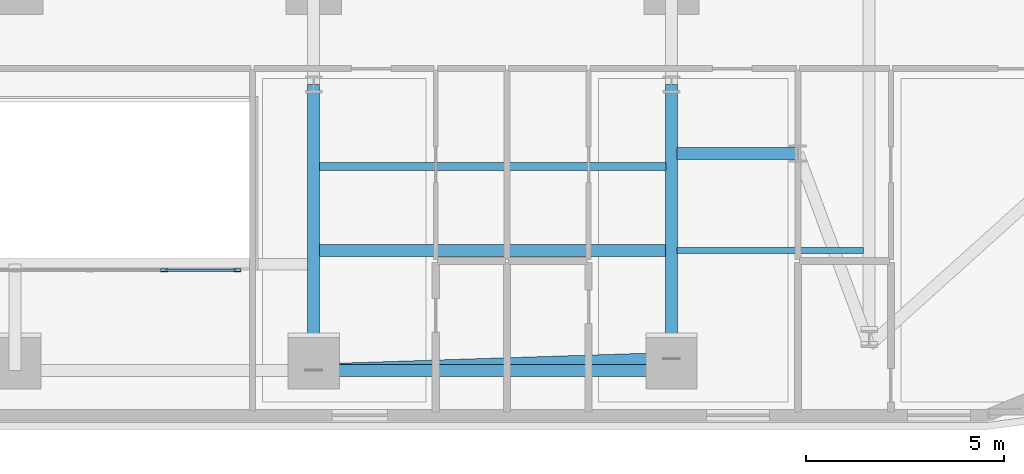
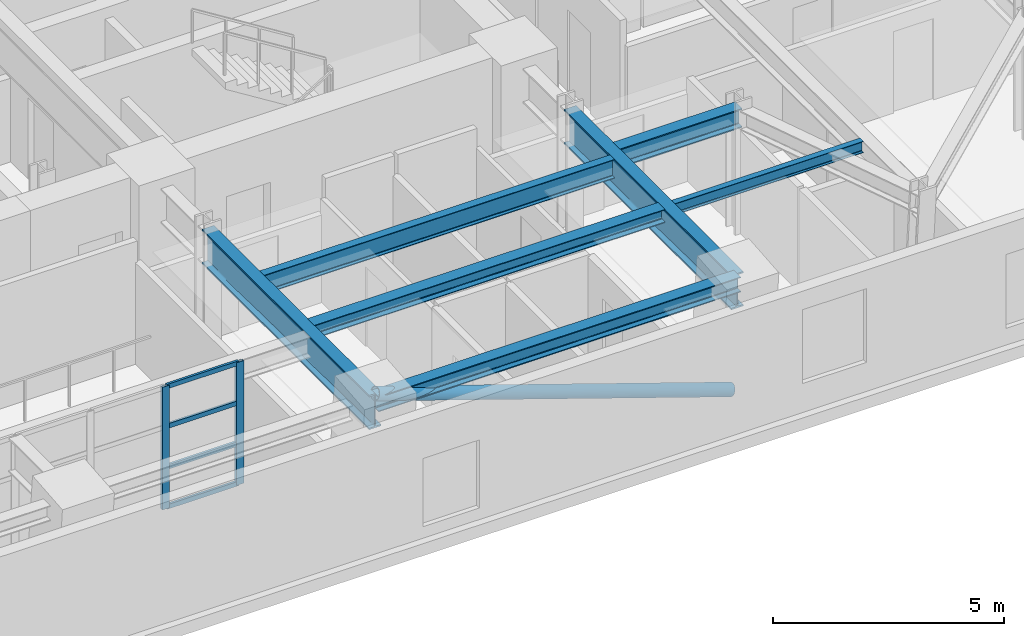
# One storey, part 5 of 16: 7 beams, 7 members, 1 element without a shape of its own.
"""IFC4 building model written with IfcOpenShell, lengths in metres."""

from ifc_helpers import new_model, si_unit, direction, frame, origin, origin_2d, place, context, subcontext, project, spatial, hollow_rectangle, hollow_circle, i_section, extrude, material, layer, layer_set, material_profile, profile_set, type_object, element, aggregate, save


model = new_model("IFC4")

# Units and contexts
model_context = context("Model", 3, precision=1e-05, world=origin(), true_north=direction((0.0, 1.0)))
body_context = subcontext(model_context, "Body", "Model", "MODEL_VIEW")
ifc_project = project(units=[si_unit("LENGTHUNIT", "METRE"), si_unit("AREAUNIT", "SQUARE_METRE"), si_unit("VOLUMEUNIT", "CUBIC_METRE"), si_unit("PLANEANGLEUNIT", "RADIAN"), si_unit("MASSUNIT", "GRAM", prefix="KILO")], contexts=[model_context])

# Site, building, storey
site_placement = place(None, origin())
site = spatial("IfcSite", under=ifc_project, at=site_placement, CompositionType="ELEMENT")
building_placement = place(site_placement, origin())
building = spatial("IfcBuilding", under=site, at=building_placement, Name="Zarnavel Station Tower", CompositionType="ELEMENT")
storey_placement = place(building_placement, frame((0.0, 0.0, 86.300048828125)))
storey = spatial("IfcBuildingStorey", under=building, at=storey_placement, Name="L23", CompositionType="ELEMENT", Elevation=86.300048828125)

# Curtain wall, members
ifc_material_1 = material(Name="Aluminium Dark Anodised and Solar-Control Glass", Category="aluminium")
ifc_layer = layer(ifc_material_1, 0.179931640625)
ifc_layer_set = layer_set([ifc_layer], Name="CWS3")
curtain_wall_type = type_object("IfcCurtainWallType", Name="CWS3", PredefinedType="NOTDEFINED", material=ifc_layer_set)
curtain_wall_placement = place(storey_placement, origin())
curtain_wall = element("IfcCurtainWall", 1, at=curtain_wall_placement, inside=storey, type_object=curtain_wall_type, Name="L23 Curtain Wall CWS3-L23-AS", PredefinedType="NOTDEFINED")
ifc_material_2 = material(Name="Steel S355J2 (Black Fluoropolymer Coated)", Category="steel")
ifc_material_profile_1 = material_profile(ifc_material_2, hollow_rectangle(XDim=0.080078125, YDim=0.179931640625, WallThickness=0.00634765625, at=origin_2d()), Name="RHS180x80x6.3")
ifc_profile_set_1 = profile_set([ifc_material_profile_1], Name="Steel S355J2 (Black Fluoropolymer Coated)")
member_type_1 = type_object("IfcMemberType", Name="CWS3_MUL", PredefinedType="MULLION", material=ifc_profile_set_1)
member_1_placement = place(storey_placement, frame((32.566650390625, 20.64990234375, 0.0), z_axis=(0.0, 0.0, 1.0), x_axis=(0.0, 1.0, 0.0)))
member_1 = element("IfcMember", 2, at=member_1_placement, type_object=member_type_1, Name="CW3 mullion 6", PredefinedType="MULLION", context=body_context, shape_type="SweptSolid", body=[
    extrude(hollow_rectangle(XDim=0.080078125, YDim=0.179931640625, WallThickness=0.00634765625, at=origin_2d()), origin(), (0.0, 0.0, 1.0), 3.239990234375),
])
member_2_placement = place(storey_placement, frame((34.419921875, 20.64990234375, 0.0), z_axis=(0.0, 0.0, 1.0), x_axis=(0.0, 1.0, 0.0)))
member_2 = element("IfcMember", 3, at=member_2_placement, type_object=member_type_1, Name="CW3 mullion 7", PredefinedType="MULLION", context=body_context, shape_type="SweptSolid", body=[
    extrude(hollow_rectangle(XDim=0.080078125, YDim=0.179931640625, WallThickness=0.00634765625, at=origin_2d()), origin(), (0.0, 0.0, 1.0), 3.239990234375),
])
ifc_material_3 = material(Name="Steel S355J2 (Black Fluoropolymer Coated)", Category="steel")
ifc_material_profile_2 = material_profile(ifc_material_3, hollow_rectangle(XDim=0.06005859375, YDim=0.1201171875, WallThickness=0.0048828125, at=origin_2d()), Name="RHS120x60x5")
ifc_profile_set_2 = profile_set([ifc_material_profile_2], Name="Steel S355J2 (Black Fluoropolymer Coated)")
member_type_2 = type_object("IfcMemberType", Name="CWS3_TRN", PredefinedType="USERDEFINED", material=ifc_profile_set_2)
member_3_placement = place(storey_placement, frame((32.5966796875, 20.64990234375, 0.030029296875), z_axis=(1.0, 0.0, 0.0), x_axis=(0.0, 1.0, 0.0)))
member_3 = element("IfcMember", 4, at=member_3_placement, type_object=member_type_2, Name="CW3 transom 6.1", ObjectType="TRANSOM", PredefinedType="USERDEFINED", context=body_context, shape_type="SweptSolid", body=[
    extrude(hollow_rectangle(XDim=0.06005859375, YDim=0.1201171875, WallThickness=0.0048828125, at=origin_2d()), origin(), (0.0, 0.0, 1.0), 1.793212890625),
])
member_4_placement = place(storey_placement, frame((32.5966796875, 20.64990234375, 1.079833984375), z_axis=(1.0, 0.0, 0.0), x_axis=(0.0, 1.0, 0.0)))
member_4 = element("IfcMember", 5, at=member_4_placement, type_object=member_type_2, Name="CW3 transom 6.2", ObjectType="TRANSOM", PredefinedType="USERDEFINED", context=body_context, shape_type="SweptSolid", body=[
    extrude(hollow_rectangle(XDim=0.06005859375, YDim=0.1201171875, WallThickness=0.0048828125, at=origin_2d()), origin(), (0.0, 0.0, 1.0), 1.793212890625),
])
member_5_placement = place(storey_placement, frame((32.5966796875, 20.64990234375, 2.159912109375), z_axis=(1.0, 0.0, 0.0), x_axis=(0.0, 1.0, 0.0)))
member_5 = element("IfcMember", 6, at=member_5_placement, type_object=member_type_2, Name="CW3 transom 6.3", ObjectType="TRANSOM", PredefinedType="USERDEFINED", context=body_context, shape_type="SweptSolid", body=[
    extrude(hollow_rectangle(XDim=0.06005859375, YDim=0.1201171875, WallThickness=0.0048828125, at=origin_2d()), origin(), (0.0, 0.0, 1.0), 1.793212890625),
])
member_6_placement = place(storey_placement, frame((32.5966796875, 20.64990234375, 3.2099609375), z_axis=(1.0, 0.0, 0.0), x_axis=(0.0, 1.0, 0.0)))
member_6 = element("IfcMember", 7, at=member_6_placement, type_object=member_type_2, Name="CW3 transom 6.4", ObjectType="TRANSOM", PredefinedType="USERDEFINED", context=body_context, shape_type="SweptSolid", body=[
    extrude(hollow_rectangle(XDim=0.06005859375, YDim=0.1201171875, WallThickness=0.0048828125, at=origin_2d()), origin(), (0.0, 0.0, 1.0), 1.793212890625),
])
aggregate(curtain_wall, [member_1, member_2, member_3, member_4, member_5, member_6])

# Member
ifc_material_4 = material(Name="Steel S355J2", Category="steel")
ifc_material_profile_3 = material_profile(ifc_material_4, hollow_circle(Radius=0.161865234375, WallThickness=0.012451171875, at=origin_2d()), Name="CHS323.9x12.5")
ifc_profile_set_3 = profile_set([ifc_material_profile_3], Name="Steel S355J2")
member_type_3 = type_object("IfcMemberType", Name="DB_EXT_CHS324", PredefinedType="BRACE", material=ifc_profile_set_3)
member_7_placement = place(storey_placement, frame((45.39990234375, 18.407470703125, 0.0), z_axis=(-0.941042303893, -0.030515076327, 0.336909798612), x_axis=(0.032409856061, -0.999474662625, 0.0)))
element("IfcMember", 8, at=member_7_placement, inside=storey, type_object=member_type_3, Name="L23 Persian Exterior Diagonal Frame Brace 2", PredefinedType="BRACE", context=body_context, shape_type="SweptSolid", body=[
    extrude(hollow_circle(Radius=0.161865234375, WallThickness=0.012451171875, at=origin_2d()), origin(), (0.0, 0.0, 1.0), 9.61669921875),
])

# Beams
ifc_material_5 = material(Name="Steel S355J2", Category="steel")
ifc_material_profile_4 = material_profile(ifc_material_5, i_section(OverallWidth=0.300048828125, OverallDepth=0.39990234375, WebThickness=0.013427734375, FlangeThickness=0.02392578125, FilletRadius=0.027099609375, at=origin_2d()), Name="HEB400")
ifc_profile_set_4 = profile_set([ifc_material_profile_4], Name="Steel S355J2")
beam_type_1 = type_object("IfcBeamType", Name="EB_HEB400", PredefinedType="SPANDREL", material=ifc_profile_set_4)
beam_1_placement = place(storey_placement, frame((36.35009765625, 18.114013671875, 3.0400390625), z_axis=(1.0, 0.0, 0.0), x_axis=(0.0, 1.0, 0.0)))
element("IfcBeam", 9, at=beam_1_placement, inside=storey, type_object=beam_type_1, Name="L23 South Raked Spandrel 4", PredefinedType="SPANDREL", context=body_context, shape_type="SweptSolid", body=[
    extrude(i_section(OverallWidth=0.300048828125, OverallDepth=0.39990234375, WebThickness=0.013427734375, FlangeThickness=0.02392578125, FilletRadius=0.027099609375, at=origin_2d()), origin(), (0.0, 0.0, 1.0), 9.0498046875),
])
ifc_material_6 = material(Name="Steel S355J2", Category="steel")
ifc_material_profile_5 = material_profile(ifc_material_6, i_section(OverallWidth=0.300048828125, OverallDepth=0.35009765625, WebThickness=0.010009765625, FlangeThickness=0.017578125, FilletRadius=0.027099609375, at=origin_2d()), Name="HEA360")
ifc_profile_set_5 = profile_set([ifc_material_profile_5], Name="Steel S355J2")
beam_type_2 = type_object("IfcBeamType", Name="FB_HEA360", PredefinedType="BEAM", material=ifc_profile_set_5)
beam_2_placement = place(storey_placement, frame((36.4951171875, 21.142578125, 3.06494140625), z_axis=(1.0, 0.0, 0.0), x_axis=(0.0, 1.0, 0.0)))
element("IfcBeam", 10, at=beam_2_placement, inside=storey, type_object=beam_type_2, Name="L23 East Bay Beam 1", PredefinedType="BEAM", context=body_context, shape_type="SweptSolid", body=[
    extrude(i_section(OverallWidth=0.300048828125, OverallDepth=0.35009765625, WebThickness=0.010009765625, FlangeThickness=0.017578125, FilletRadius=0.027099609375, at=origin_2d()), origin(), (0.0, 0.0, 1.0), 8.759765625),
])
ifc_material_7 = material(Name="Steel S355J2", Category="steel")
ifc_material_profile_6 = material_profile(ifc_material_7, i_section(OverallWidth=0.199951171875, OverallDepth=0.5, WebThickness=0.01025390625, FlangeThickness=0.01611328125, FilletRadius=0.02099609375, at=origin_2d()), Name="IPE500")
ifc_profile_set_6 = profile_set([ifc_material_profile_6], Name="Steel S355J2")
beam_type_3 = type_object("IfcBeamType", Name="FB_IPE500", PredefinedType="BEAM", material=ifc_profile_set_6)
beam_3_placement = place(storey_placement, frame((36.4951171875, 23.271240234375, 2.989990234375), z_axis=(1.0, 0.0, 0.0), x_axis=(0.0, 1.0, 0.0)))
element("IfcBeam", 11, at=beam_3_placement, inside=storey, type_object=beam_type_3, Name="L23 East Bay Beam 2", PredefinedType="BEAM", context=body_context, shape_type="SweptSolid", body=[
    extrude(i_section(OverallWidth=0.199951171875, OverallDepth=0.5, WebThickness=0.01025390625, FlangeThickness=0.01611328125, FilletRadius=0.02099609375, at=origin_2d()), origin(), (0.0, 0.0, 1.0), 8.759765625),
])
ifc_material_8 = material(Name="Steel S355J2", Category="steel")
ifc_material_profile_7 = material_profile(ifc_material_8, i_section(OverallWidth=0.300048828125, OverallDepth=0.5, WebThickness=0.014404296875, FlangeThickness=0.028076171875, FilletRadius=0.027099609375, at=origin_2d()), Name="HEB500")
ifc_profile_set_7 = profile_set([ifc_material_profile_7], Name="Steel S355J2")
beam_type_4 = type_object("IfcBeamType", Name="FG_HEB500", PredefinedType="USERDEFINED", material=ifc_profile_set_7)
beam_4_placement = place(storey_placement, frame((45.544921875, 23.60009765625, 2.989990234375), z_axis=(1.0, 0.0, 0.0), x_axis=(0.0, 1.0, 0.0)))
element("IfcBeam", 12, at=beam_4_placement, inside=storey, type_object=beam_type_4, Name="L23 East Wing South Tie 1", ObjectType="GIRDER", PredefinedType="USERDEFINED", context=body_context, shape_type="SweptSolid", body=[
    extrude(i_section(OverallWidth=0.300048828125, OverallDepth=0.5, WebThickness=0.014404296875, FlangeThickness=0.028076171875, FilletRadius=0.027099609375, at=origin_2d()), origin(), (0.0, 0.0, 1.0), 3.05517578125),
])
ifc_material_9 = material(Name="Steel S355J2", Category="steel")
ifc_material_profile_8 = material_profile(ifc_material_9, i_section(OverallWidth=0.14990234375, OverallDepth=0.300048828125, WebThickness=0.007080078125, FlangeThickness=0.0107421875, FilletRadius=0.014892578125, at=origin_2d()), Name="IPE300")
ifc_profile_set_8 = profile_set([ifc_material_profile_8], Name="Steel S355J2")
beam_type_5 = type_object("IfcBeamType", Name="FJ_IPE300", PredefinedType="JOIST", material=ifc_profile_set_8)
beam_5_placement = place(storey_placement, frame((45.544921875, 21.142578125, 3.08984375), z_axis=(1.0, 0.0, 0.0), x_axis=(0.0, 1.0, 0.0)))
element("IfcBeam", 13, at=beam_5_placement, inside=storey, type_object=beam_type_5, Name="L23 East Wing Joist 1", PredefinedType="JOIST", context=body_context, shape_type="SweptSolid", body=[
    extrude(i_section(OverallWidth=0.14990234375, OverallDepth=0.300048828125, WebThickness=0.007080078125, FlangeThickness=0.0107421875, FilletRadius=0.014892578125, at=origin_2d()), origin(), (0.0, 0.0, 1.0), 4.7099609375),
])
ifc_material_10 = material(Name="Steel S460M", Category="steel")
ifc_material_profile_9 = material_profile(ifc_material_10, i_section(OverallWidth=0.302001953125, OverallDepth=0.909912109375, WebThickness=0.02099609375, FlangeThickness=0.0400390625, FilletRadius=0.030029296875, at=origin_2d()), Name="HEM900")
ifc_profile_set_9 = profile_set([ifc_material_profile_9], Name="Steel S460M")
beam_type_6 = type_object("IfcBeamType", Name="TG_HEM900", PredefinedType="USERDEFINED", material=ifc_profile_set_9)
for number, where, z_axis, x_axis, name in (
    (14, (36.35009765625, 18.114013671875, 2.784912109375), (0.0, 1.0, 0.0), (-1.0, 0.0, 0.0), "L23 South-Zone NS Girder 4"),
    (15, (45.39990234375, 18.114013671875, 2.784912109375), (0.0, 1.0, 0.0), (-1.0, 0.0, 0.0), "L23 South-Zone NS Girder 5"),
):
    element("IfcBeam", number, at=place(storey_placement, frame(where, z_axis=z_axis, x_axis=x_axis)), inside=storey, type_object=beam_type_6, Name=name, ObjectType="GIRDER", PredefinedType="USERDEFINED", context=body_context, shape_type="SweptSolid", body=[
        extrude(i_section(OverallWidth=0.302001953125, OverallDepth=0.909912109375, WebThickness=0.02099609375, FlangeThickness=0.0400390625, FilletRadius=0.030029296875, at=origin_2d()), origin(), (0.0, 0.0, 1.0), 7.236083984375),
    ])

save(model, "model.ifc")
